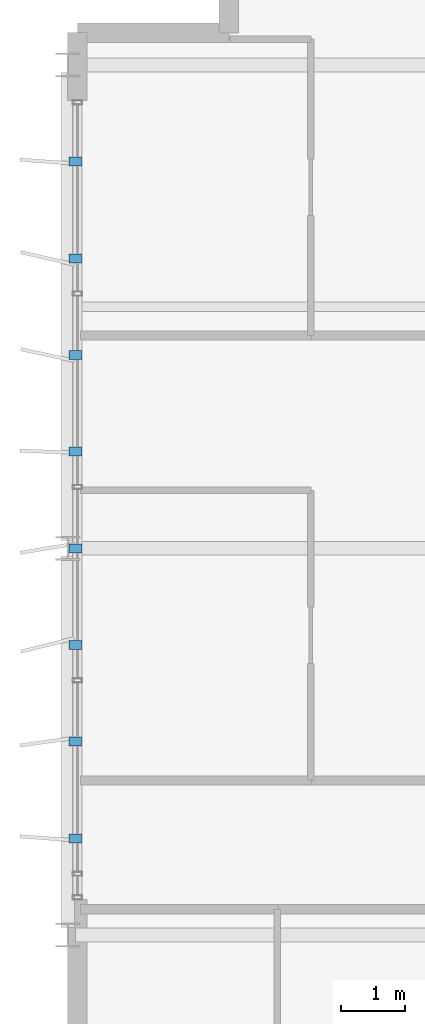
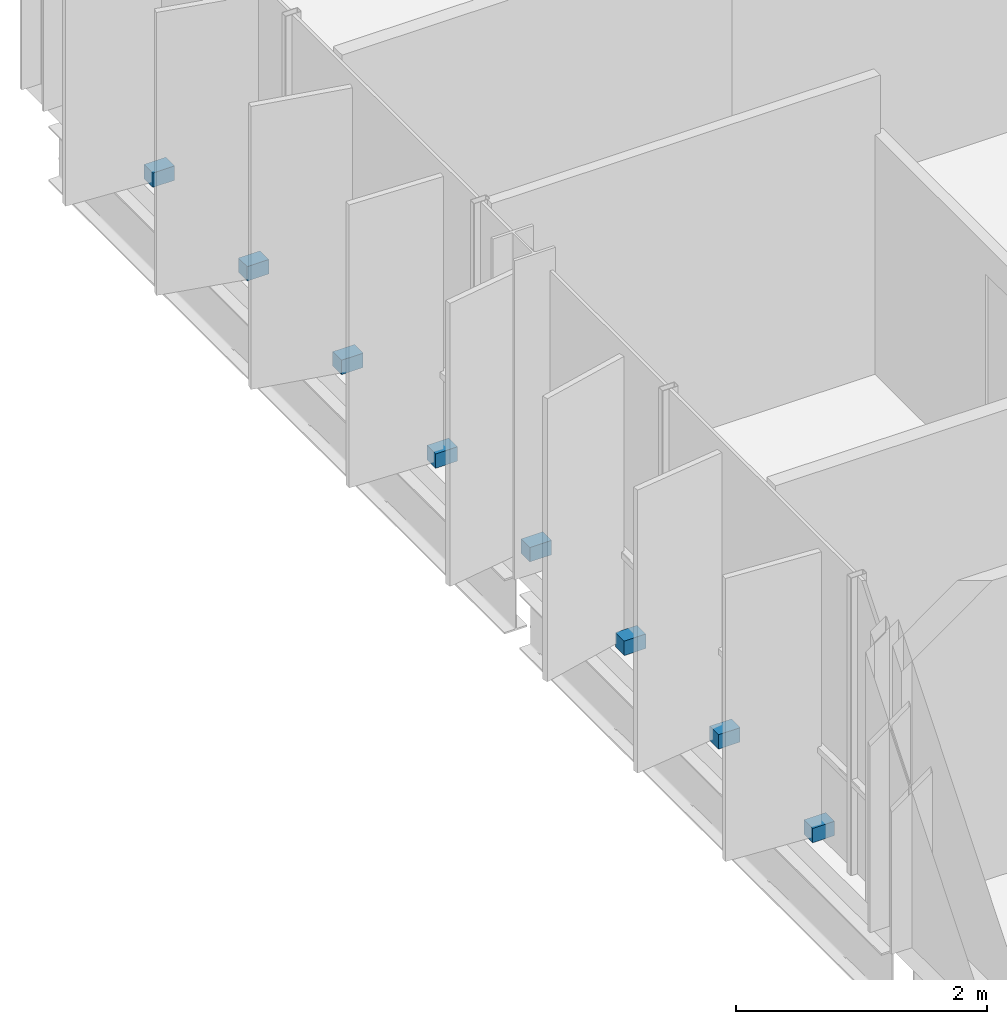
# One storey, part 27 of 30: 8 discrete accessories.
"""IFC4 building model written with IfcOpenShell, lengths in metres."""

import ifcopenshell
import ifcopenshell.guid

model = None  # the IFC model being written
_history = None  # IfcOwnerHistory: only IFC2X3 demands one
_inside = {}  # id of a spatial element -> (the spatial element, [elements in it])
_under = {}  # id of a project, library or spatial element -> (it, [spatial elements below it])
_declared = {}  # id of a project -> (the project, [libraries it declares])
_typed = {}  # id of a type object -> (the type object, [elements of that type])
_made_of = {}  # id of a material, layer set ... -> (it, [elements and type objects made of it])


def new_model(schema):
    """Start an empty IFC model of exactly this schema.

    Asked for "IFC4X3", IfcOpenShell would pick the latest addendum, in which some entities
    have other attributes; the version numbers below select the first issue.
    IFC2X3 requires an IfcOwnerHistory on every rooted entity: one is made here for all.
    """
    global model, _history
    if schema == "IFC4X3":
        model = ifcopenshell.file(schema_version=(4, 3, 0, 0))
    else:
        model = ifcopenshell.file(schema=schema)
    _inside.clear()
    _under.clear()
    _declared.clear()
    _typed.clear()
    _made_of.clear()
    _history = None
    if model.schema == "IFC2X3":
        org = make("IfcOrganization", Name="unknown")
        user = make(
            "IfcPersonAndOrganization",
            ThePerson=make("IfcPerson", FamilyName="unknown"),
            TheOrganization=org,
        )
        app = make(
            "IfcApplication",
            ApplicationDeveloper=org,
            Version="unknown",
            ApplicationFullName="unknown",
            ApplicationIdentifier="unknown",
        )
        _history = make(
            "IfcOwnerHistory",
            OwningUser=user,
            OwningApplication=app,
            ChangeAction="ADDED",
            CreationDate=0,
        )
    return model


def make(cls, **values):
    """One entity of the class cls with the attributes given. An attribute that is None is left unset."""
    return model.create_entity(
        cls, **{name: value for name, value in values.items() if value is not None}
    )


def rooted(cls, **values):
    """An entity with a GlobalId (a new one), such as an element, a storey or a relation."""
    return make(cls, GlobalId=ifcopenshell.guid.new(), OwnerHistory=_history, **values)


def si_unit(unit_type, name, prefix=None):
    """IfcSIUnit, for example si_unit("LENGTHUNIT", "METRE", prefix="MILLI")."""
    return make("IfcSIUnit", UnitType=unit_type, Prefix=prefix, Name=name)


def assignment(units):
    """IfcUnitAssignment: the units of a project."""
    return None if units is None else make("IfcUnitAssignment", Units=units)


def point(xyz):
    """IfcCartesianPoint."""
    return None if xyz is None else make("IfcCartesianPoint", Coordinates=xyz)


def direction(xyz):
    """IfcDirection."""
    return None if xyz is None else make("IfcDirection", DirectionRatios=xyz)


def frame(location, z_axis=None, x_axis=None):
    """IfcAxis2Placement3D, a coordinate frame: its origin and axes. An axis left out is left unset."""
    return make(
        "IfcAxis2Placement3D",
        Location=point(location),
        Axis=direction(z_axis),
        RefDirection=direction(x_axis),
    )


def frame_2d(location, x_axis=None):
    """IfcAxis2Placement2D, a coordinate frame in the plane: its origin and x axis."""
    return make(
        "IfcAxis2Placement2D", Location=point(location), RefDirection=direction(x_axis)
    )


def origin():
    """The frame at (0, 0, 0) with its axes left unset."""
    return frame((0.0, 0.0, 0.0))


def origin_2d():
    """The frame at (0, 0) in the plane with its x axis left unset."""
    return frame_2d((0.0, 0.0))


def place(relative_to, where):
    """IfcLocalPlacement: puts the frame where relative to a parent placement (None: the world)."""
    return make(
        "IfcLocalPlacement", PlacementRelTo=relative_to, RelativePlacement=where
    )


def context(
    kind, dimensions, precision=None, world=None, true_north=None, identifier=None
):
    """IfcGeometricRepresentationContext, for example the 3D "Model" context."""
    return make(
        "IfcGeometricRepresentationContext",
        ContextIdentifier=identifier,
        ContextType=kind,
        CoordinateSpaceDimension=dimensions,
        Precision=precision,
        WorldCoordinateSystem=world,
        TrueNorth=true_north,
    )


def subcontext(parent, identifier, kind, view, scale=None):
    """IfcGeometricRepresentationSubContext, for example "Body" below "Model"."""
    return make(
        "IfcGeometricRepresentationSubContext",
        ContextIdentifier=identifier,
        ContextType=kind,
        ParentContext=parent,
        TargetScale=scale,
        TargetView=view,
    )


def project(units=None, contexts=None):
    """IfcProject with its units and contexts."""
    return rooted(
        "IfcProject",
        Name="project",
        RepresentationContexts=contexts,
        UnitsInContext=assignment(units),
    )


def spatial(cls, under=None, at=None, **own):
    """A site, building, storey or space (cls), placed at a placement, below another one or the project."""
    s = rooted(cls, ObjectPlacement=at, **own)
    if under is not None:
        _under.setdefault(under.id(), (under, []))[1].append(s)
    return s


def profile(cls, at=None, kind="AREA", **sizes):
    """A parametric profile (cls). Its sizes go by their IFC names, for example OverallWidth=200.0."""
    return make(cls, ProfileType=kind, Position=at, **sizes)


def rectangle(**sizes):
    """IfcRectangleProfileDef."""
    return profile("IfcRectangleProfileDef", **sizes)


def extrude(swept, where, along, depth):
    """IfcExtrudedAreaSolid: the profile swept, set in the frame where, extruded along a direction by depth."""
    return make(
        "IfcExtrudedAreaSolid",
        SweptArea=swept,
        Position=where,
        ExtrudedDirection=direction(along),
        Depth=depth,
    )


def shape(context_of_items, identifier, shape_type, items):
    """IfcShapeRepresentation: the items that make up one representation, for example the "Body"."""
    return make(
        "IfcShapeRepresentation",
        ContextOfItems=context_of_items,
        RepresentationIdentifier=identifier,
        RepresentationType=shape_type,
        Items=items,
    )


def material(Name=None, Category=None):
    """IfcMaterial."""
    return make("IfcMaterial", Name=Name, Category=Category)


def made_of(thing, what):
    """Note that an element or type object is made of a material, layer set ...; save() writes the relation."""
    if what is not None:
        _made_of.setdefault(what.id(), (what, []))[1].append(thing)
    return thing


def type_object(cls, material=None, **own):
    """A type object (cls), such as IfcWallType, which elements share."""
    return made_of(rooted(cls, **own), material)


def element(
    cls,
    number,
    at=None,
    inside=None,
    cuts=None,
    type_object=None,
    material=None,
    context=None,
    identifier="Body",
    shape_type=None,
    held_by="IfcProductDefinitionShape",
    body=None,
    shapes=None,
    **own,
):
    """One element of the class cls, such as IfcWall. Its Tag is "e" and its number.

    at: its placement. inside: the storey or other place that contains it. cuts: it is an
    opening in that element (IfcRelVoidsElement). A single representation is given by context,
    identifier, shape_type and body (its items); several are given by shapes. held_by: the class
    of the entity that holds the representations. save() writes the other relations.
    """
    e = rooted(cls, Tag="e%d" % number, ObjectPlacement=at, **own)
    if body is not None:
        shapes = [shape(context, identifier, shape_type, body)]
    if shapes is not None:
        e.Representation = make(held_by, Representations=shapes)
    if inside is not None:
        _inside.setdefault(inside.id(), (inside, []))[1].append(e)
    if cuts is not None:
        rooted(
            "IfcRelVoidsElement", RelatingBuildingElement=cuts, RelatedOpeningElement=e
        )
    if type_object is not None:
        _typed.setdefault(type_object.id(), (type_object, []))[1].append(e)
    return made_of(e, material)


def aggregate(whole, parts):
    """IfcRelAggregates: a whole, such as a stair, and the parts it consists of."""
    return rooted("IfcRelAggregates", RelatingObject=whole, RelatedObjects=parts)


def save(model, path):
    """Write the relations noted so far, then the file.

    IfcRelAggregates (storeys below a building ...), IfcRelContainedInSpatialStructure (elements
    in a storey), IfcRelDefinesByType, IfcRelAssociatesMaterial and IfcRelDeclares: one each for
    every whole, place, type object, material and project.
    """
    for whole, parts in _under.values():
        aggregate(whole, parts)
    for where, things in _inside.values():
        rooted(
            "IfcRelContainedInSpatialStructure",
            RelatedElements=things,
            RelatingStructure=where,
        )
    for kind, things in _typed.values():
        rooted("IfcRelDefinesByType", RelatedObjects=things, RelatingType=kind)
    for what, things in _made_of.values():
        rooted("IfcRelAssociatesMaterial", RelatedObjects=things, RelatingMaterial=what)
    for by, libraries in _declared.values():
        rooted("IfcRelDeclares", RelatingContext=by, RelatedDefinitions=libraries)
    model.write(path)


model = new_model("IFC4")

# Units and contexts
model_context = context("Model", 3, precision=1e-05, world=origin(), true_north=direction((0.0, 1.0)))
body_context = subcontext(model_context, "Body", "Model", "MODEL_VIEW")
ifc_project = project(units=[si_unit("LENGTHUNIT", "METRE"), si_unit("AREAUNIT", "SQUARE_METRE"), si_unit("VOLUMEUNIT", "CUBIC_METRE"), si_unit("PLANEANGLEUNIT", "RADIAN"), si_unit("MASSUNIT", "GRAM", prefix="KILO")], contexts=[model_context])

# Site, building, storey
site_placement = place(None, origin())
site = spatial("IfcSite", under=ifc_project, at=site_placement, CompositionType="ELEMENT")
building_placement = place(site_placement, origin())
building = spatial("IfcBuilding", under=site, at=building_placement, Name="Brevholm Reach", CompositionType="ELEMENT")
storey_placement = place(building_placement, frame((0.0, 0.0, 204.89990234375)))
storey = spatial("IfcBuildingStorey", under=building, at=storey_placement, Name="L62", CompositionType="ELEMENT", Elevation=204.89990234375)

# Discrete accessories
ifc_material = material(Name="Duplex Stainless Steel EN 1.4462", Category="steel")
discrete_accessory_type = type_object("IfcDiscreteAccessoryType", Name="ACC-BRK-01", PredefinedType="BRACKET", material=ifc_material)
for number, where, z_axis, x_axis, name in (
    (1, (0.1201171875, 11.5, 0.0302734375), (0.0, 0.0, 1.0), (-1.0, 0.0, 0.0), "L62 Solar Screen Support Bracket 1"),
    (2, (0.1201171875, 13.0, 0.0302734375), (0.0, 0.0, 1.0), (-1.0, 0.0, 0.0), "L62 Solar Screen Support Bracket 2"),
    (3, (0.1201171875, 14.5, 0.0302734375), (0.0, 0.0, 1.0), (-1.0, 0.0, 0.0), "L62 Solar Screen Support Bracket 3"),
    (4, (0.1201171875, 16.0, 0.0302734375), (0.0, 0.0, 1.0), (-1.0, 0.0, 0.0), "L62 Solar Screen Support Bracket 4"),
    (5, (0.1201171875, 17.5, 0.0302734375), (0.0, 0.0, 1.0), (-1.0, 0.0, 0.0), "L62 Solar Screen Support Bracket 5"),
    (6, (0.1201171875, 19.0, 0.0302734375), (0.0, 0.0, 1.0), (-1.0, 0.0, 0.0), "L62 Solar Screen Support Bracket 6"),
    (7, (0.1201171875, 20.5, 0.0302734375), (0.0, 0.0, 1.0), (-1.0, 0.0, 0.0), "L62 Solar Screen Support Bracket 7"),
    (8, (0.1201171875, 22.0, 0.0302734375), (0.0, 0.0, 1.0), (-1.0, 0.0, 0.0), "L62 Solar Screen Support Bracket 8"),
):
    element("IfcDiscreteAccessory", number, at=place(storey_placement, frame(where, z_axis=z_axis, x_axis=x_axis)), inside=storey, type_object=discrete_accessory_type, Name=name, PredefinedType="BRACKET", context=body_context, shape_type="SweptSolid", body=[
        extrude(rectangle(XDim=0.199951171875, YDim=0.139892578125, at=origin_2d()), origin(), (0.0, 0.0, 1.0), 0.139892578125),
    ])

save(model, "model.ifc")
